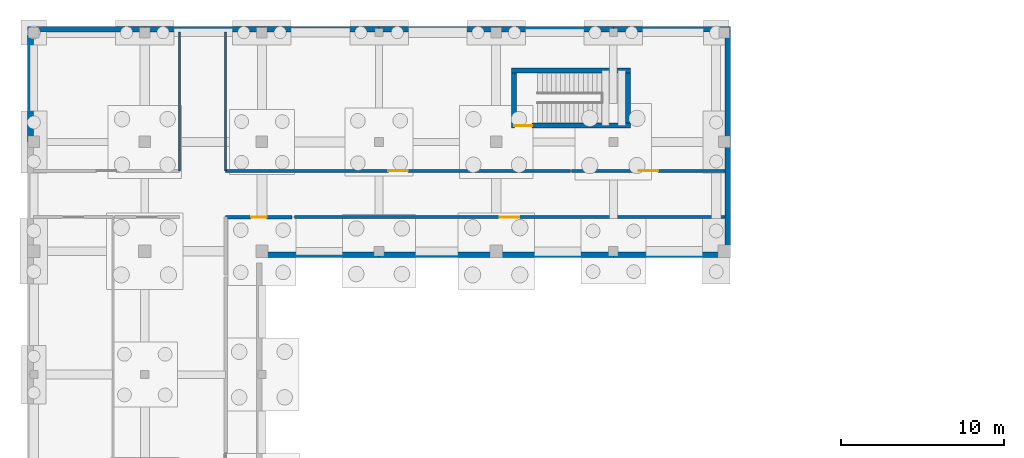
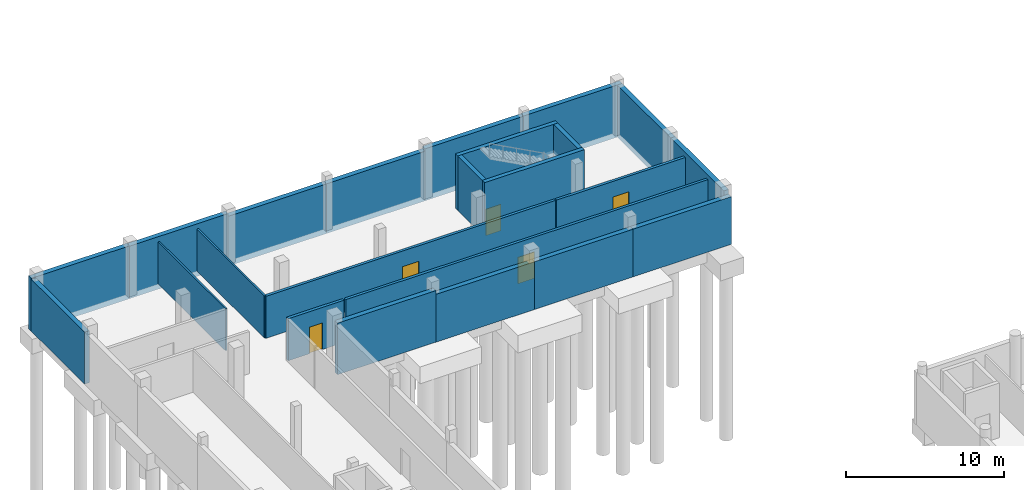
# One storey, part 29 of 41: 23 walls, 5 doors, 5 openings.
"""IFC4 building model written with IfcOpenShell, lengths in metres."""

from ifc_helpers import new_model, si_unit, direction, frame, frame_2d, origin, place, context, subcontext, project, spatial, rectangle, extrude, material, layer, layer_set, type_object, element, fill, save


model = new_model("IFC4")

# Units and contexts
model_context = context("Model", 3, precision=1e-05, world=origin(), true_north=direction((0.0, 1.0)))
body_context = subcontext(model_context, "Body", "Model", "MODEL_VIEW")
ifc_project = project(units=[si_unit("LENGTHUNIT", "METRE"), si_unit("AREAUNIT", "SQUARE_METRE"), si_unit("VOLUMEUNIT", "CUBIC_METRE"), si_unit("PLANEANGLEUNIT", "RADIAN"), si_unit("MASSUNIT", "GRAM", prefix="KILO")], contexts=[model_context])

# Site, building, storey
site_placement = place(None, origin())
site = spatial("IfcSite", under=ifc_project, at=site_placement, CompositionType="ELEMENT")
building_placement = place(site_placement, origin())
building = spatial("IfcBuilding", under=site, at=building_placement, Name="Vardoun Plaza Health Centre", CompositionType="ELEMENT")
storey_placement = place(building_placement, frame((0.0, 0.0, -4.5)))
storey = spatial("IfcBuildingStorey", under=building, at=storey_placement, Name="B1", CompositionType="ELEMENT", Elevation=-4.5)

# Wall, opening, door
ifc_material_1 = material(Name="Concrete C40/50", Category="concrete")
ifc_layer_1 = layer(ifc_material_1, 0.300048828125)
ifc_layer_set_1 = layer_set([ifc_layer_1], Name="Concrete C40/50")
wall_type_1 = type_object("IfcWallType", Name="SW-01", PredefinedType="SHEAR", material=ifc_layer_set_1)
wall_1_placement = place(storey_placement, frame((41.550048828125, 109.199951171875, 0.0), z_axis=(0.0, 0.0, 1.0), x_axis=(-1.0, 0.0, 0.0)))
wall_1 = element("IfcWall", 1, at=wall_1_placement, inside=storey, type_object=wall_type_1, Name="Core C4 B1 Shear Wall S", PredefinedType="SHEAR", context=body_context, shape_type="SweptSolid", body=[
    extrude(rectangle(XDim=7.300048828125, YDim=0.300048828125, at=frame_2d((3.64990234375, 0.0))), origin(), (0.0, 0.0, 1.0), 4.235107421875),
])
opening_1_placement = place(wall_1_placement, frame((6.0400390625, 0.0, 0.0)))
opening_1 = element("IfcOpeningElement", 2, at=opening_1_placement, cuts=wall_1, Name="Opening SD-C4-B1", PredefinedType="OPENING", context=body_context, shape_type="SweptSolid", body=[
    extrude(rectangle(XDim=1.10009765625, YDim=2.050048828125, at=frame_2d((0.550048828125, 1.02490234375))), frame((0.0, 0.14990234375, 0.0), z_axis=(0.0, -1.0, 0.0), x_axis=(1.0, 0.0, 0.0)), (0.0, 0.0, 1.0), 0.300048828125),
])
ifc_material_2 = material(Name="Brushed Stainless Steel Grade 316L", Category="steel")
door_type_1 = type_object("IfcDoorType", Name="FD-01", OperationType="NOTDEFINED", PredefinedType="DOOR", material=ifc_material_2)
door_1_placement = place(opening_1_placement, origin())
door_1 = element("IfcDoor", 3, at=door_1_placement, inside=storey, type_object=door_type_1, Name="Stair C4 B1 Fire Door", OperationType="SINGLE_SWING_LEFT", OverallHeight=2.050048828125, OverallWidth=1.10009765625, PredefinedType="DOOR", context=body_context, shape_type="SweptSolid", body=[
    extrude(rectangle(XDim=1.10009765625, YDim=2.050048828125, at=frame_2d((0.550048828125, 1.02490234375))), frame((0.0, 0.02490234375, 0.0), z_axis=(0.0, -1.0, 0.0), x_axis=(1.0, 0.0, 0.0)), (0.0, 0.0, 1.0), 0.050048828125),
])
fill(opening_1, door_1)

# Walls
wall_2_placement = place(storey_placement, frame((34.39990234375, 109.35009765625, 0.0), z_axis=(0.0, 0.0, 1.0), x_axis=(0.0, 1.0, 0.0)))
element("IfcWall", 4, at=wall_2_placement, inside=storey, type_object=wall_type_1, Name="Core C4 B1 Shear Wall W", PredefinedType="SHEAR", context=body_context, shape_type="SweptSolid", body=[
    extrude(rectangle(XDim=3.099853515625, YDim=0.300048828125, at=frame_2d((1.5498046875, 0.0))), origin(), (0.0, 0.0, 1.0), 4.235107421875),
])
wall_3_placement = place(storey_placement, frame((34.25, 112.60009765625, 0.0), z_axis=(0.0, 0.0, 1.0), x_axis=(1.0, 0.0, 0.0)))
element("IfcWall", 5, at=wall_3_placement, inside=storey, type_object=wall_type_1, Name="Core C4 B1 Shear Wall N", PredefinedType="SHEAR", context=body_context, shape_type="SweptSolid", body=[
    extrude(rectangle(XDim=7.300048828125, YDim=0.300048828125, at=frame_2d((3.64990234375, 0.0))), origin(), (0.0, 0.0, 1.0), 4.235107421875),
])
wall_4_placement = place(storey_placement, frame((41.39990234375, 112.449951171875, 0.0), z_axis=(0.0, 0.0, 1.0), x_axis=(0.0, -1.0, 0.0)))
element("IfcWall", 6, at=wall_4_placement, inside=storey, type_object=wall_type_1, Name="Core C4 B1 Shear Wall E", PredefinedType="SHEAR", context=body_context, shape_type="SweptSolid", body=[
    extrude(rectangle(XDim=3.099853515625, YDim=0.300048828125, at=frame_2d((1.5498046875, 0.0))), origin(), (0.0, 0.0, 1.0), 4.235107421875),
])
ifc_material_3 = material(Name="Pale Limestone Concrete C35/45", Category="masonry")
ifc_layer_2 = layer(ifc_material_3, 0.344970703125)
ifc_layer_set_2 = layer_set([ifc_layer_2], Name="Pale Limestone Concrete C35/45")
wall_type_2 = type_object("IfcWallType", Name="EW-01", PredefinedType="SOLIDWALL", material=ifc_layer_set_2)
wall_5_placement = place(storey_placement, frame((4.5, 115.12744140625, -0.419921875), z_axis=(0.0, 0.0, 1.0), x_axis=(1.0, 0.0, 0.0)))
element("IfcWall", 7, at=wall_5_placement, inside=storey, type_object=wall_type_2, Name="V3 B1 Exterior Wall EW-V3-222", PredefinedType="SOLIDWALL", context=body_context, shape_type="SweptSolid", body=[
    extrude(rectangle(XDim=7.199951171875, YDim=0.344970703125, at=frame_2d((3.60009765625, 0.0))), origin(), (0.0, 0.0, 1.0), 4.08984375),
])
wall_6_placement = place(storey_placement, frame((11.699951171875, 115.12744140625, -0.419921875), z_axis=(0.0, 0.0, 1.0), x_axis=(1.0, 0.0, 0.0)))
element("IfcWall", 8, at=wall_6_placement, inside=storey, type_object=wall_type_2, Name="V3 B1 Exterior Wall EW-V3-223", PredefinedType="SOLIDWALL", context=body_context, shape_type="SweptSolid", body=[
    extrude(rectangle(XDim=7.199951171875, YDim=0.344970703125, at=frame_2d((3.60009765625, 0.0))), origin(), (0.0, 0.0, 1.0), 4.059814453125),
])
wall_7_placement = place(storey_placement, frame((18.89990234375, 115.12744140625, -0.419921875), z_axis=(0.0, 0.0, 1.0), x_axis=(1.0, 0.0, 0.0)))
element("IfcWall", 9, at=wall_7_placement, inside=storey, type_object=wall_type_2, Name="V3 B1 Exterior Wall EW-V3-224", PredefinedType="SOLIDWALL", context=body_context, shape_type="SweptSolid", body=[
    extrude(rectangle(XDim=7.2001953125, YDim=0.344970703125, at=frame_2d((3.60009765625, 0.0))), origin(), (0.0, 0.0, 1.0), 3.83984375),
])
wall_8_placement = place(storey_placement, frame((26.10009765625, 115.12744140625, -0.419921875), z_axis=(0.0, 0.0, 1.0), x_axis=(1.0, 0.0, 0.0)))
element("IfcWall", 10, at=wall_8_placement, inside=storey, type_object=wall_type_2, Name="V3 B1 Exterior Wall EW-V3-225", PredefinedType="SOLIDWALL", context=body_context, shape_type="SweptSolid", body=[
    extrude(rectangle(XDim=7.199951171875, YDim=0.344970703125, at=frame_2d((3.60009765625, 0.0))), origin(), (0.0, 0.0, 1.0), 3.83984375),
])
wall_9_placement = place(storey_placement, frame((33.300048828125, 115.12744140625, -0.419921875), z_axis=(0.0, 0.0, 1.0), x_axis=(1.0, 0.0, 0.0)))
element("IfcWall", 11, at=wall_9_placement, inside=storey, type_object=wall_type_2, Name="V3 B1 Exterior Wall EW-V3-226", PredefinedType="SOLIDWALL", context=body_context, shape_type="SweptSolid", body=[
    extrude(rectangle(XDim=7.199951171875, YDim=0.344970703125, at=frame_2d((3.60009765625, 0.0))), origin(), (0.0, 0.0, 1.0), 4.02001953125),
])
wall_10_placement = place(storey_placement, frame((40.5, 115.12744140625, -0.419921875), z_axis=(0.0, 0.0, 1.0), x_axis=(1.0, 0.0, 0.0)))
element("IfcWall", 12, at=wall_10_placement, inside=storey, type_object=wall_type_2, Name="V3 B1 Exterior Wall EW-V3-227", PredefinedType="SOLIDWALL", context=body_context, shape_type="SweptSolid", body=[
    extrude(rectangle(XDim=7.199951171875, YDim=0.344970703125, at=frame_2d((3.60009765625, 0.0))), origin(), (0.0, 0.0, 1.0), 4.0400390625),
])
wall_11_placement = place(storey_placement, frame((47.527587890625, 114.955078125, -0.419921875), z_axis=(0.0, 0.0, 1.0), x_axis=(0.0, -1.0, 0.0)))
element("IfcWall", 13, at=wall_11_placement, inside=storey, type_object=wall_type_2, Name="V3 B1 Exterior Wall EW-V3-228", PredefinedType="SOLIDWALL", context=body_context, shape_type="SweptSolid", body=[
    extrude(rectangle(XDim=6.755126953125, YDim=0.344970703125, at=frame_2d((3.37744140625, 0.0))), origin(), (0.0, 0.0, 1.0), 4.0400390625),
])
wall_12_placement = place(storey_placement, frame((47.527587890625, 108.199951171875, -0.419921875), z_axis=(0.0, 0.0, 1.0), x_axis=(0.0, -1.0, 0.0)))
element("IfcWall", 14, at=wall_12_placement, inside=storey, type_object=wall_type_2, Name="V3 B1 Exterior Wall EW-V3-229", PredefinedType="SOLIDWALL", context=body_context, shape_type="SweptSolid", body=[
    extrude(rectangle(XDim=6.7548828125, YDim=0.344970703125, at=frame_2d((3.37744140625, 0.0))), origin(), (0.0, 0.0, 1.0), 4.0400390625),
])
for number, where, z_axis, x_axis, name in (
    (15, (47.699951171875, 101.2724609375, -0.419921875), (0.0, 0.0, 1.0), (-1.0, 0.0, 0.0), "V3 B1 Exterior Wall EW-V3-230"),
    (16, (40.5, 101.2724609375, -0.419921875), (0.0, 0.0, 1.0), (-1.0, 0.0, 0.0), "V3 B1 Exterior Wall EW-V3-231"),
    (17, (33.300048828125, 101.2724609375, -0.419921875), (0.0, 0.0, 1.0), (-1.0, 0.0, 0.0), "V3 B1 Exterior Wall EW-V3-232"),
):
    element("IfcWall", number, at=place(storey_placement, frame(where, z_axis=z_axis, x_axis=x_axis)), inside=storey, type_object=wall_type_2, Name=name, PredefinedType="SOLIDWALL", context=body_context, shape_type="SweptSolid", body=[
        extrude(rectangle(XDim=7.199951171875, YDim=0.344970703125, at=frame_2d((3.60009765625, 0.0))), origin(), (0.0, 0.0, 1.0), 3.68994140625),
    ])
wall_13_placement = place(storey_placement, frame((26.10009765625, 101.2724609375, -0.419921875), z_axis=(0.0, 0.0, 1.0), x_axis=(-1.0, 0.0, 0.0)))
element("IfcWall", 18, at=wall_13_placement, inside=storey, type_object=wall_type_2, Name="V3 B1 Exterior Wall EW-V3-233", PredefinedType="SOLIDWALL", context=body_context, shape_type="SweptSolid", body=[
    extrude(rectangle(XDim=7.2001953125, YDim=0.344970703125, at=frame_2d((3.60009765625, 0.0))), origin(), (0.0, 0.0, 1.0), 3.989990234375),
])
wall_14_placement = place(storey_placement, frame((4.672607421875, 108.199951171875, -0.419921875), z_axis=(0.0, 0.0, 1.0), x_axis=(0.0, 1.0, 0.0)))
element("IfcWall", 19, at=wall_14_placement, inside=storey, type_object=wall_type_2, Name="V3 B1 Exterior Wall EW-V3-243", PredefinedType="SOLIDWALL", context=body_context, shape_type="SweptSolid", body=[
    extrude(rectangle(XDim=6.755126953125, YDim=0.344970703125, at=frame_2d((3.37744140625, 0.0))), origin(), (0.0, 0.0, 1.0), 4.02001953125),
])
ifc_material_4 = material(Name="Standard Clinical Sub-Partition", Category="steel")
ifc_layer_3 = layer(ifc_material_4, 0.125)
ifc_layer_set_3 = layer_set([ifc_layer_3], Name="Standard Clinical Sub-Partition")
wall_type_3 = type_object("IfcWallType", Name="IW-11", PredefinedType="PARTITIONING", material=ifc_layer_set_3)
for number, where, z_axis, x_axis, name in (
    (20, (16.669921875, 106.419921875, 0.0), (0.0, 0.0, 1.0), (0.0, 1.0, 0.0), "Biomedical Engineering Workshop Enclosure Partition"),
    (21, (13.830078125, 114.949951171875, 0.0), (0.0, 0.0, 1.0), (0.0, -1.0, 0.0), "Biomedical Engineering Workshop A Enclosure Partition"),
):
    element("IfcWall", number, at=place(storey_placement, frame(where, z_axis=z_axis, x_axis=x_axis)), inside=storey, type_object=wall_type_3, Name=name, PredefinedType="PARTITIONING", context=body_context, shape_type="SweptSolid", body=[
        extrude(rectangle(XDim=8.530029296875, YDim=0.125, at=frame_2d((4.26513671875, 0.0))), origin(), (0.0, 0.0, 1.0), 3.2548828125),
    ])

# Wall, opening, door
ifc_material_5 = material(Name="Concrete C35/45", Category="concrete")
ifc_layer_4 = layer(ifc_material_5, 0.199951171875)
ifc_layer_set_4 = layer_set([ifc_layer_4], Name="Concrete C35/45")
wall_type_4 = type_object("IfcWallType", Name="IW-01", PredefinedType="SOLIDWALL", material=ifc_layer_set_4)
wall_15_placement = place(storey_placement, frame((37.860107421875, 106.419921875, 0.0), z_axis=(0.0, 0.0, 1.0), x_axis=(-1.0, 0.0, 0.0)))
wall_15 = element("IfcWall", 22, at=wall_15_placement, inside=storey, type_object=wall_type_4, Name="Biomedical Engineering Workshop Partition Wall", PredefinedType="SOLIDWALL", context=body_context, shape_type="SweptSolid", body=[
    extrude(rectangle(XDim=21.190185546875, YDim=0.199951171875, at=frame_2d((10.59521484375, 0.0))), origin(), (0.0, 0.0, 1.0), 3.2548828125),
])
opening_2_placement = place(wall_15_placement, frame((9.9951171875, 0.0, 0.0)))
opening_2 = element("IfcOpeningElement", 23, at=opening_2_placement, cuts=wall_15, Name="Opening D-B1-072", PredefinedType="OPENING", context=body_context, shape_type="SweptSolid", body=[
    extrude(rectangle(XDim=1.199951171875, YDim=2.050048828125, at=frame_2d((0.60009765625, 1.02490234375))), frame((0.0, 0.10009765625, 0.0), z_axis=(0.0, -1.0, 0.0), x_axis=(1.0, 0.0, 0.0)), (0.0, 0.0, 1.0), 0.199951171875),
])
ifc_material_6 = material(Name="Antimicrobial Acoustic Timber and Steel S275JR", Category="steel")
door_type_2 = type_object("IfcDoorType", Name="FD-04", OperationType="NOTDEFINED", PredefinedType="DOOR", material=ifc_material_6)
door_2_placement = place(opening_2_placement, origin())
door_2 = element("IfcDoor", 24, at=door_2_placement, inside=storey, type_object=door_type_2, Name="Biomedical Engineering Workshop Door D-B1-072", OperationType="SINGLE_SWING_LEFT", OverallHeight=2.050048828125, OverallWidth=1.199951171875, PredefinedType="DOOR", context=body_context, shape_type="SweptSolid", body=[
    extrude(rectangle(XDim=1.199951171875, YDim=2.050048828125, at=frame_2d((0.60009765625, 1.02490234375))), frame((0.0, 0.02490234375, 0.0), z_axis=(0.0, -1.0, 0.0), x_axis=(1.0, 0.0, 0.0)), (0.0, 0.0, 1.0), 0.050048828125),
])
fill(opening_2, door_2)

wall_16_placement = place(storey_placement, frame((47.35009765625, 106.419921875, 0.0), z_axis=(0.0, 0.0, 1.0), x_axis=(-1.0, 0.0, 0.0)))
wall_16 = element("IfcWall", 25, at=wall_16_placement, inside=storey, type_object=wall_type_4, Name="Medical Gas Manifold Plant B Partition Wall", PredefinedType="SOLIDWALL", context=body_context, shape_type="SweptSolid", body=[
    extrude(rectangle(XDim=9.41015625, YDim=0.199951171875, at=frame_2d((4.705078125, 0.0))), origin(), (0.0, 0.0, 1.0), 3.2548828125),
])
opening_3_placement = place(wall_16_placement, frame((4.10498046875, 0.0, 0.0)))
opening_3 = element("IfcOpeningElement", 26, at=opening_3_placement, cuts=wall_16, Name="Opening D-B1-076", PredefinedType="OPENING", context=body_context, shape_type="SweptSolid", body=[
    extrude(rectangle(XDim=1.199951171875, YDim=2.050048828125, at=frame_2d((0.60009765625, 1.02490234375))), frame((0.0, 0.10009765625, 0.0), z_axis=(0.0, -1.0, 0.0), x_axis=(1.0, 0.0, 0.0)), (0.0, 0.0, 1.0), 0.199951171875),
])
door_3_placement = place(opening_3_placement, origin())
door_3 = element("IfcDoor", 27, at=door_3_placement, inside=storey, type_object=door_type_2, Name="Medical Gas Manifold Plant B Door D-B1-076", OperationType="SINGLE_SWING_RIGHT", OverallHeight=2.050048828125, OverallWidth=1.199951171875, PredefinedType="DOOR", context=body_context, shape_type="SweptSolid", body=[
    extrude(rectangle(XDim=1.199951171875, YDim=2.050048828125, at=frame_2d((0.60009765625, 1.02490234375))), frame((0.0, 0.02490234375, 0.0), z_axis=(0.0, -1.0, 0.0), x_axis=(1.0, 0.0, 0.0)), (0.0, 0.0, 1.0), 0.050048828125),
])
fill(opening_3, door_3)

wall_17_placement = place(storey_placement, frame((20.8935546875, 103.580078125, 0.0), z_axis=(0.0, 0.0, 1.0), x_axis=(1.0, 0.0, 0.0)))
wall_17 = element("IfcWall", 28, at=wall_17_placement, inside=storey, type_object=wall_type_4, Name="Clinical Archive Store C Partition Wall", PredefinedType="SOLIDWALL", context=body_context, shape_type="SweptSolid", body=[
    extrude(rectangle(XDim=26.45654296875, YDim=0.199951171875, at=frame_2d((13.228271484375, 0.0))), origin(), (0.0, 0.0, 1.0), 3.2548828125),
])
opening_4_placement = place(wall_17_placement, frame((12.62841796875, 0.0, 0.0)))
opening_4 = element("IfcOpeningElement", 29, at=opening_4_placement, cuts=wall_17, Name="Opening D-B1-077", PredefinedType="OPENING", context=body_context, shape_type="SweptSolid", body=[
    extrude(rectangle(XDim=1.199951171875, YDim=2.050048828125, at=frame_2d((0.60009765625, 1.02490234375))), frame((0.0, 0.10009765625, 0.0), z_axis=(0.0, -1.0, 0.0), x_axis=(1.0, 0.0, 0.0)), (0.0, 0.0, 1.0), 0.199951171875),
])
door_4_placement = place(opening_4_placement, origin())
door_4 = element("IfcDoor", 30, at=door_4_placement, inside=storey, type_object=door_type_2, Name="Clinical Archive Store C Door D-B1-077", OperationType="SINGLE_SWING_RIGHT", OverallHeight=2.050048828125, OverallWidth=1.199951171875, PredefinedType="DOOR", context=body_context, shape_type="SweptSolid", body=[
    extrude(rectangle(XDim=1.199951171875, YDim=2.050048828125, at=frame_2d((0.60009765625, 1.02490234375))), frame((0.0, 0.02490234375, 0.0), z_axis=(0.0, -1.0, 0.0), x_axis=(1.0, 0.0, 0.0)), (0.0, 0.0, 1.0), 0.050048828125),
])
fill(opening_4, door_4)

ifc_material_7 = material(Name="Moisture-Resistant Plumbing Chase", Category="steel")
ifc_layer_5 = layer(ifc_material_7, 0.215087890625)
ifc_layer_set_5 = layer_set([ifc_layer_5], Name="Moisture-Resistant Plumbing Chase")
wall_type_5 = type_object("IfcWallType", Name="IW-06", PredefinedType="PLUMBINGWALL", material=ifc_layer_set_5)
wall_18_placement = place(storey_placement, frame((16.669921875, 103.580078125, 0.0), z_axis=(0.0, 0.0, 1.0), x_axis=(1.0, 0.0, 0.0)))
wall_18 = element("IfcWall", 31, at=wall_18_placement, inside=storey, type_object=wall_type_5, Name="Accessible WC B1-V3 Partition Wall", PredefinedType="PLUMBINGWALL", context=body_context, shape_type="SweptSolid", body=[
    extrude(rectangle(XDim=4.08349609375, YDim=0.215087890625, at=frame_2d((2.041748046875, 0.0))), origin(), (0.0, 0.0, 1.0), 3.2548828125),
])
opening_5_placement = place(wall_18_placement, frame((1.566650390625, 0.0, 0.0)))
opening_5 = element("IfcOpeningElement", 32, at=opening_5_placement, cuts=wall_18, Name="Opening D-B1-071", PredefinedType="OPENING", context=body_context, shape_type="SweptSolid", body=[
    extrude(rectangle(XDim=0.949951171875, YDim=2.050048828125, at=frame_2d((0.47509765625, 1.02490234375))), frame((0.0, 0.107421875, 0.0), z_axis=(0.0, -1.0, 0.0), x_axis=(1.0, 0.0, 0.0)), (0.0, 0.0, 1.0), 0.215087890625),
])
ifc_material_8 = material(Name="Antimicrobial Acoustic Timber and Steel S275JR", Category="steel")
door_type_3 = type_object("IfcDoorType", Name="CD-07", OperationType="NOTDEFINED", PredefinedType="DOOR", material=ifc_material_8)
door_5_placement = place(opening_5_placement, origin())
door_5 = element("IfcDoor", 33, at=door_5_placement, inside=storey, type_object=door_type_3, Name="Accessible WC B1-V3 Door D-B1-071", OperationType="SINGLE_SWING_LEFT", OverallHeight=2.050048828125, OverallWidth=0.949951171875, PredefinedType="DOOR", context=body_context, shape_type="SweptSolid", body=[
    extrude(rectangle(XDim=0.949951171875, YDim=2.050048828125, at=frame_2d((0.47509765625, 1.02490234375))), frame((0.0, 0.02490234375, 0.0), z_axis=(0.0, -1.0, 0.0), x_axis=(1.0, 0.0, 0.0)), (0.0, 0.0, 1.0), 0.050048828125),
])
fill(opening_5, door_5)

save(model, "model.ifc")
